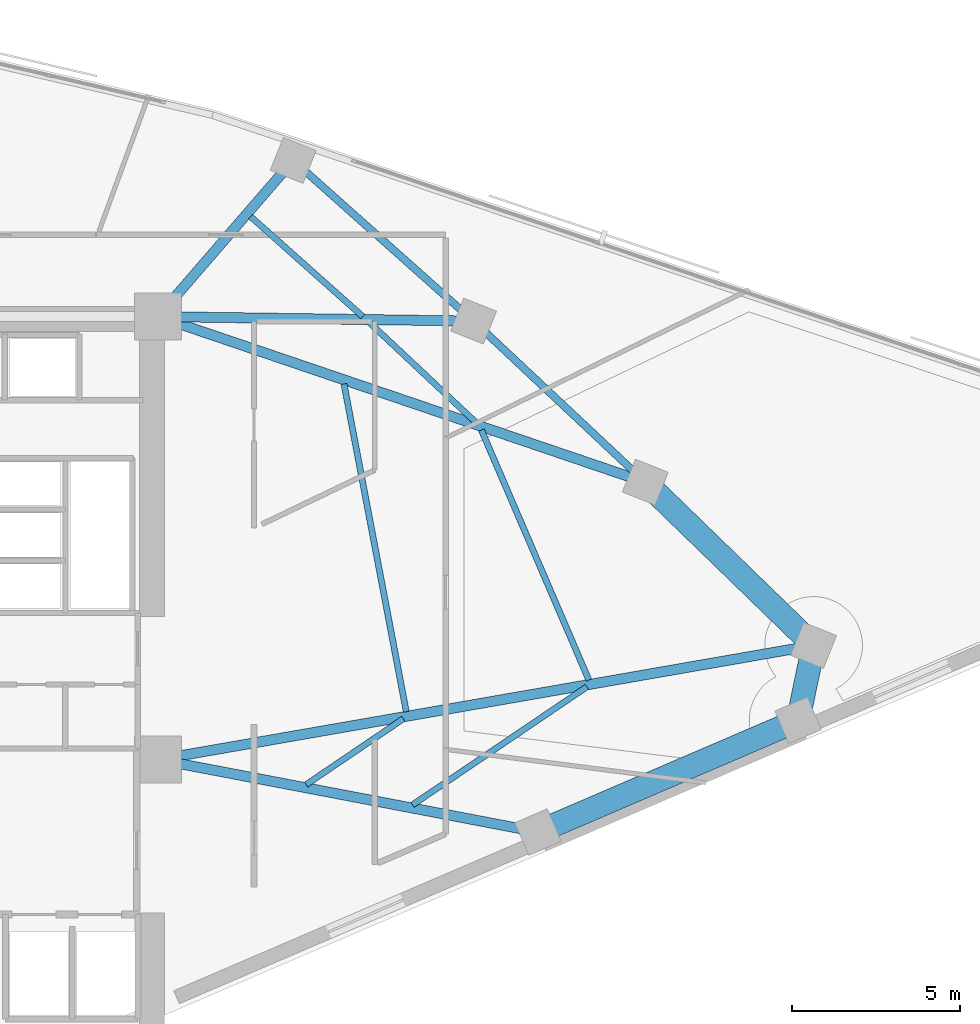
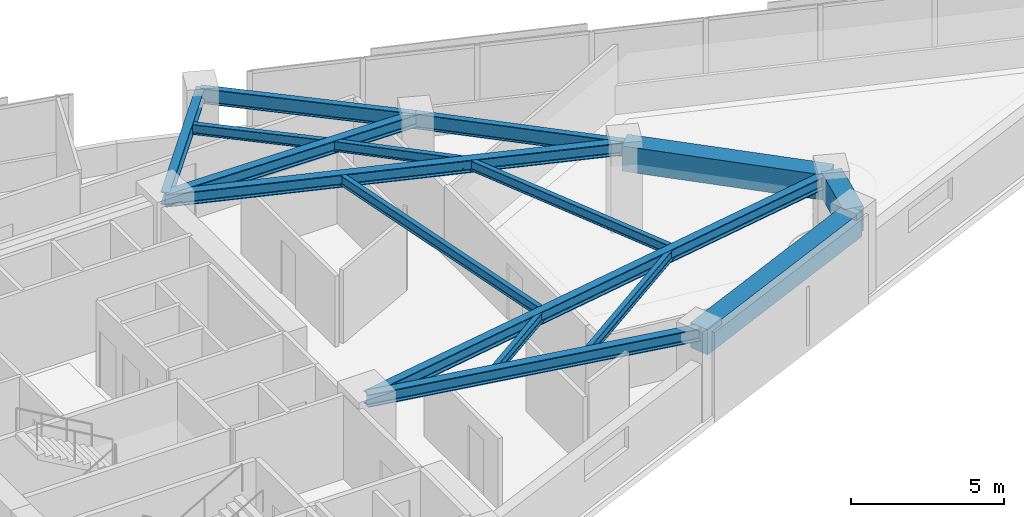
# One storey, part 3 of 14: 16 beams.
"""IFC4 building model written with IfcOpenShell, lengths in metres."""

from ifc_helpers import new_model, si_unit, direction, frame, origin, origin_2d, place, context, subcontext, project, spatial, rectangle, i_section, extrude, material, material_profile, profile_set, type_object, element, save


model = new_model("IFC4")

# Units and contexts
model_context = context("Model", 3, precision=1e-05, world=origin(), true_north=direction((0.0, 1.0)))
body_context = subcontext(model_context, "Body", "Model", "MODEL_VIEW")
ifc_project = project(units=[si_unit("LENGTHUNIT", "METRE"), si_unit("AREAUNIT", "SQUARE_METRE"), si_unit("VOLUMEUNIT", "CUBIC_METRE"), si_unit("PLANEANGLEUNIT", "RADIAN"), si_unit("MASSUNIT", "GRAM", prefix="KILO")], contexts=[model_context])

# Site, building, storey
site_placement = place(None, origin())
site = spatial("IfcSite", under=ifc_project, at=site_placement, CompositionType="ELEMENT")
building_placement = place(site_placement, origin())
building = spatial("IfcBuilding", under=site, at=building_placement, Name="Narakoshi Arena Tower", CompositionType="ELEMENT")
storey_placement = place(building_placement, frame((0.0, 0.0, 175.5)))
storey = spatial("IfcBuildingStorey", under=building, at=storey_placement, Name="L47", CompositionType="ELEMENT", Elevation=175.5)

# Beams
ifc_material_1 = material(Name="Concrete C60/75", Category="concrete")
ifc_material_profile_1 = material_profile(ifc_material_1, rectangle(XDim=0.699951171875, YDim=1.0, at=origin_2d()), Name="RCB700x1000")
ifc_profile_set_1 = profile_set([ifc_material_profile_1], Name="Concrete C60/75")
beam_type_1 = type_object("IfcBeamType", Name="BM-CPL-1000", PredefinedType="BEAM", material=ifc_profile_set_1)
beam_1_placement = place(storey_placement, frame((96.830078125, 41.2001953125, 2.840087890625), z_axis=(0.918792947441, 0.394739812703, 0.0), x_axis=(-0.394739812703, 0.918792947441, 0.0)))
element("IfcBeam", 1, at=beam_1_placement, inside=storey, type_object=beam_type_1, Name="L47 Perimeter Edge Girder 01", PredefinedType="BEAM", context=body_context, shape_type="SweptSolid", body=[
    extrude(rectangle(XDim=0.699951171875, YDim=1.0, at=origin_2d()), origin(), (0.0, 0.0, 1.0), 8.401611328125),
])
beam_2_placement = place(storey_placement, frame((104.54931640625, 44.5166015625, 2.840087890625), z_axis=(0.203000450605, 0.979178644096, 0.0), x_axis=(-0.979178644096, 0.203000450605, 0.0)))
element("IfcBeam", 2, at=beam_2_placement, inside=storey, type_object=beam_type_1, Name="L47 Perimeter Edge Girder 02", PredefinedType="BEAM", context=body_context, shape_type="SweptSolid", body=[
    extrude(rectangle(XDim=0.699951171875, YDim=1.0, at=origin_2d()), origin(), (0.0, 0.0, 1.0), 2.26953125),
])
beam_3_placement = place(storey_placement, frame((105.010009765625, 46.73876953125, 2.840087890625), z_axis=(-0.717826032278, 0.696222512839, 0.0), x_axis=(-0.696222512839, -0.717826032278, 0.0)))
element("IfcBeam", 3, at=beam_3_placement, inside=storey, type_object=beam_type_1, Name="L47 Perimeter Edge Girder 03", PredefinedType="BEAM", context=body_context, shape_type="SweptSolid", body=[
    extrude(rectangle(XDim=0.699951171875, YDim=1.0, at=origin_2d()), origin(), (0.0, 0.0, 1.0), 6.96142578125),
])
ifc_material_2 = material(Name="Structural steel S355J2", Category="steel")
ifc_material_profile_2 = material_profile(ifc_material_2, i_section(OverallWidth=0.219970703125, OverallDepth=0.60009765625, WebThickness=0.011962890625, FlangeThickness=0.01904296875, FilletRadius=0.02392578125, at=origin_2d()), Name="IPE600")
ifc_profile_set_2 = profile_set([ifc_material_profile_2], Name="Structural steel S355J2")
beam_type_2 = type_object("IfcBeamType", Name="BM-EDGE-600", PredefinedType="BEAM", material=ifc_profile_set_2)
beam_4_placement = place(storey_placement, frame((100.012939453125, 51.58544921875, 3.0400390625), z_axis=(-0.729413011888, 0.684073576517, 0.0), x_axis=(-0.684073576517, -0.729413011888, 0.0)))
element("IfcBeam", 4, at=beam_4_placement, inside=storey, type_object=beam_type_2, Name="L47 Perimeter Edge Girder 04", PredefinedType="BEAM", context=body_context, shape_type="SweptSolid", body=[
    extrude(i_section(OverallWidth=0.219970703125, OverallDepth=0.60009765625, WebThickness=0.011962890625, FlangeThickness=0.01904296875, FilletRadius=0.02392578125, at=origin_2d()), origin(), (0.0, 0.0, 1.0), 6.9892578125),
])
beam_5_placement = place(storey_placement, frame((94.914794921875, 56.36669921875, 3.0400390625), z_axis=(-0.746743797071, 0.665111796269, 0.0), x_axis=(-0.665111796269, -0.746743797071, 0.0)))
element("IfcBeam", 5, at=beam_5_placement, inside=storey, type_object=beam_type_2, Name="L47 Perimeter Edge Girder 05", PredefinedType="BEAM", context=body_context, shape_type="SweptSolid", body=[
    extrude(i_section(OverallWidth=0.219970703125, OverallDepth=0.60009765625, WebThickness=0.011962890625, FlangeThickness=0.01904296875, FilletRadius=0.02392578125, at=origin_2d()), origin(), (0.0, 0.0, 1.0), 7.168701171875),
])
ifc_material_profile_3 = material_profile(ifc_material_2, i_section(OverallWidth=0.300048828125, OverallDepth=0.5, WebThickness=0.014404296875, FlangeThickness=0.028076171875, FilletRadius=0.027099609375, at=origin_2d()), Name="HE500B")
ifc_profile_set_3 = profile_set([ifc_material_profile_3], Name="Structural steel S355J2")
beam_type_3 = type_object("IfcBeamType", Name="BM-PRI-500", PredefinedType="BEAM", material=ifc_profile_set_3)
beam_6_placement = place(storey_placement, frame((85.550048828125, 43.35009765625, 3.090087890625), z_axis=(0.982317345732, -0.187223482166, 0.0), x_axis=(0.187223482166, 0.982317345732, 0.0)))
element("IfcBeam", 6, at=beam_6_placement, inside=storey, type_object=beam_type_3, Name="L47 Radial Primary Floor Girder 01", PredefinedType="BEAM", context=body_context, shape_type="SweptSolid", body=[
    extrude(i_section(OverallWidth=0.300048828125, OverallDepth=0.5, WebThickness=0.014404296875, FlangeThickness=0.028076171875, FilletRadius=0.027099609375, at=origin_2d()), origin(), (0.0, 0.0, 1.0), 11.483154296875),
])
beam_7_placement = place(storey_placement, frame((85.550048828125, 43.35009765625, 3.090087890625), z_axis=(0.985174720478, 0.171553986052, 0.0), x_axis=(-0.171553986052, 0.985174720478, 0.0)))
element("IfcBeam", 7, at=beam_7_placement, inside=storey, type_object=beam_type_3, Name="L47 Radial Primary Floor Girder 03", PredefinedType="BEAM", context=body_context, shape_type="SweptSolid", body=[
    extrude(i_section(OverallWidth=0.300048828125, OverallDepth=0.5, WebThickness=0.014404296875, FlangeThickness=0.028076171875, FilletRadius=0.027099609375, at=origin_2d()), origin(), (0.0, 0.0, 1.0), 19.752685546875),
])
beam_8_placement = place(storey_placement, frame((85.550048828125, 56.5, 3.090087890625), z_axis=(0.94682923499, -0.321736537818, 0.0), x_axis=(0.321736537818, 0.94682923499, 0.0)))
element("IfcBeam", 8, at=beam_8_placement, inside=storey, type_object=beam_type_3, Name="L47 Radial Primary Floor Girder 04", PredefinedType="BEAM", context=body_context, shape_type="SweptSolid", body=[
    extrude(i_section(OverallWidth=0.300048828125, OverallDepth=0.5, WebThickness=0.014404296875, FlangeThickness=0.028076171875, FilletRadius=0.027099609375, at=origin_2d()), origin(), (0.0, 0.0, 1.0), 15.275146484375),
])
beam_9_placement = place(storey_placement, frame((85.550048828125, 56.5, 3.090087890625), z_axis=(0.999898707477, -0.014232876956, 0.0), x_axis=(0.014232876956, 0.999898707477, 0.0)))
element("IfcBeam", 9, at=beam_9_placement, inside=storey, type_object=beam_type_3, Name="L47 Radial Primary Floor Girder 05", PredefinedType="BEAM", context=body_context, shape_type="SweptSolid", body=[
    extrude(i_section(OverallWidth=0.300048828125, OverallDepth=0.5, WebThickness=0.014404296875, FlangeThickness=0.028076171875, FilletRadius=0.027099609375, at=origin_2d()), origin(), (0.0, 0.0, 1.0), 9.36572265625),
])
beam_10_placement = place(storey_placement, frame((85.550048828125, 56.5, 3.090087890625), z_axis=(0.654434553487, 0.756118651537, 0.0), x_axis=(-0.756118651537, 0.654434553487, 0.0)))
element("IfcBeam", 10, at=beam_10_placement, inside=storey, type_object=beam_type_3, Name="L47 Radial Primary Floor Girder 06", PredefinedType="BEAM", context=body_context, shape_type="SweptSolid", body=[
    extrude(i_section(OverallWidth=0.300048828125, OverallDepth=0.5, WebThickness=0.014404296875, FlangeThickness=0.028076171875, FilletRadius=0.027099609375, at=origin_2d()), origin(), (0.0, 0.0, 1.0), 6.129638671875),
])
ifc_material_profile_4 = material_profile(ifc_material_2, i_section(OverallWidth=0.179931640625, OverallDepth=0.39990234375, WebThickness=0.008544921875, FlangeThickness=0.013427734375, FilletRadius=0.02099609375, at=origin_2d()), Name="IPE400")
ifc_profile_set_4 = profile_set([ifc_material_profile_4], Name="Structural steel S355J2")
beam_type_4 = type_object("IfcBeamType", Name="BM-SEC-400", PredefinedType="JOIST", material=ifc_profile_set_4)
beam_11_placement = place(storey_placement, frame((89.9482421875, 42.608642578125, 3.139892578125), z_axis=(0.828028888203, 0.560685437924, 0.0), x_axis=(-0.560685437924, 0.828028888203, 0.0)))
element("IfcBeam", 11, at=beam_11_placement, inside=storey, type_object=beam_type_4, Name="L47 Composite Secondary Floor Joist 01", PredefinedType="JOIST", context=body_context, shape_type="SweptSolid", body=[
    extrude(i_section(OverallWidth=0.179931640625, OverallDepth=0.39990234375, WebThickness=0.008544921875, FlangeThickness=0.013427734375, FilletRadius=0.02099609375, at=origin_2d()), origin(), (0.0, 0.0, 1.0), 3.48388671875),
])
beam_12_placement = place(storey_placement, frame((93.106689453125, 42.0068359375, 3.139892578125), z_axis=(0.828032186591, 0.560680566785, 0.0), x_axis=(-0.560680566785, 0.828032186591, 0.0)))
element("IfcBeam", 12, at=beam_12_placement, inside=storey, type_object=beam_type_4, Name="L47 Composite Secondary Floor Joist 02", PredefinedType="JOIST", context=body_context, shape_type="SweptSolid", body=[
    extrude(i_section(OverallWidth=0.179931640625, OverallDepth=0.39990234375, WebThickness=0.008544921875, FlangeThickness=0.013427734375, FilletRadius=0.02099609375, at=origin_2d()), origin(), (0.0, 0.0, 1.0), 6.249755859375),
])
beam_13_placement = place(storey_placement, frame((92.919677734375, 44.7705078125, 3.139892578125), z_axis=(-0.186663500969, 0.982423909219, 0.0), x_axis=(-0.982423909219, -0.186663500969, 0.0)))
element("IfcBeam", 13, at=beam_13_placement, inside=storey, type_object=beam_type_4, Name="L47 Composite Secondary Floor Joist 03", PredefinedType="JOIST", context=body_context, shape_type="SweptSolid", body=[
    extrude(i_section(OverallWidth=0.179931640625, OverallDepth=0.39990234375, WebThickness=0.008544921875, FlangeThickness=0.013427734375, FilletRadius=0.02099609375, at=origin_2d()), origin(), (0.0, 0.0, 1.0), 9.903564453125),
])
beam_14_placement = place(storey_placement, frame((98.340087890625, 45.710693359375, 3.139892578125), z_axis=(-0.395038717544, 0.918664471742, 0.0), x_axis=(-0.918664471742, -0.395038717544, 0.0)))
element("IfcBeam", 14, at=beam_14_placement, inside=storey, type_object=beam_type_4, Name="L47 Composite Secondary Floor Joist 04", PredefinedType="JOIST", context=body_context, shape_type="SweptSolid", body=[
    extrude(i_section(OverallWidth=0.179931640625, OverallDepth=0.39990234375, WebThickness=0.008544921875, FlangeThickness=0.013427734375, FilletRadius=0.02099609375, at=origin_2d()), origin(), (0.0, 0.0, 1.0), 8.07861328125),
])
beam_15_placement = place(storey_placement, frame((94.9970703125, 53.348876953125, 3.139892578125), z_axis=(-0.729453050593, 0.684030881598, 0.0), x_axis=(-0.684030881598, -0.729453050593, 0.0)))
element("IfcBeam", 15, at=beam_15_placement, inside=storey, type_object=beam_type_4, Name="L47 Composite Secondary Floor Joist 05", PredefinedType="JOIST", context=body_context, shape_type="SweptSolid", body=[
    extrude(i_section(OverallWidth=0.179931640625, OverallDepth=0.39990234375, WebThickness=0.008544921875, FlangeThickness=0.013427734375, FilletRadius=0.02099609375, at=origin_2d()), origin(), (0.0, 0.0, 1.0), 4.343017578125),
])
beam_16_placement = place(storey_placement, frame((91.6298828125, 56.501708984375, 3.139892578125), z_axis=(-0.746726556719, 0.665131152097, 0.0), x_axis=(-0.665131152097, -0.746726556719, 0.0)))
element("IfcBeam", 16, at=beam_16_placement, inside=storey, type_object=beam_type_4, Name="L47 Composite Secondary Floor Joist 06", PredefinedType="JOIST", context=body_context, shape_type="SweptSolid", body=[
    extrude(i_section(OverallWidth=0.179931640625, OverallDepth=0.39990234375, WebThickness=0.008544921875, FlangeThickness=0.013427734375, FilletRadius=0.02099609375, at=origin_2d()), origin(), (0.0, 0.0, 1.0), 4.461181640625),
])

save(model, "model.ifc")
